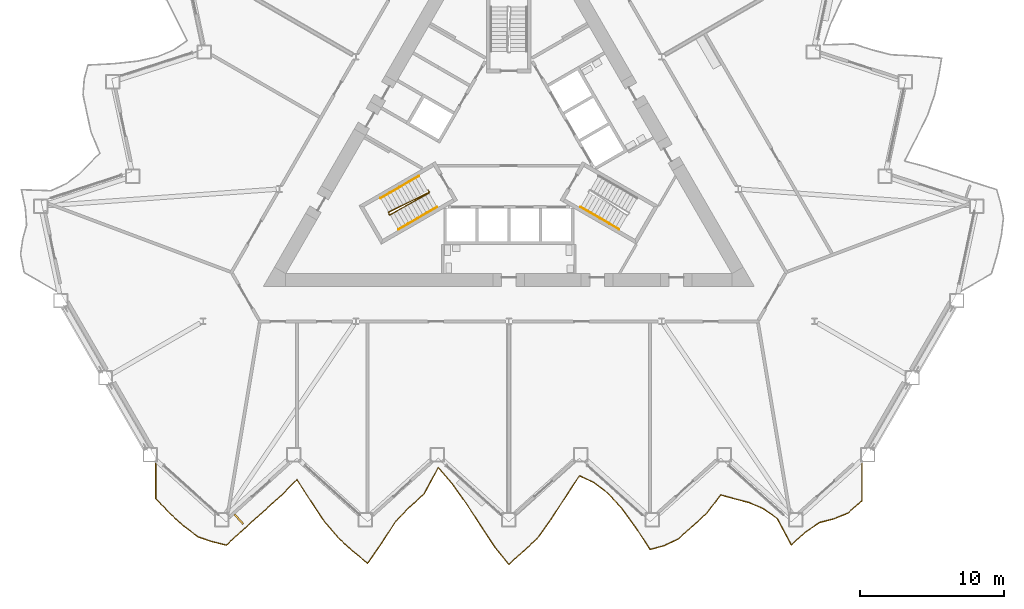
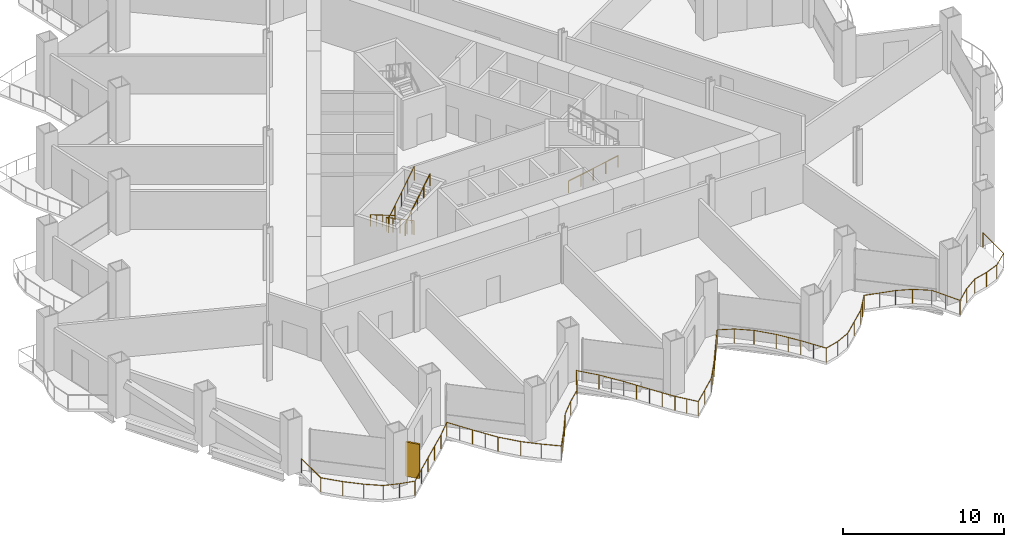
# One storey, part 16 of 20: 5 railings, 1 shading device.
"""IFC4 building model written with IfcOpenShell, lengths in metres."""

from ifc_helpers import new_model, si_unit, direction, frame, origin, origin_2d, place, context, subcontext, project, spatial, rectangle, circle, extrude, material, layer, layer_set, type_object, element, save


model = new_model("IFC4")

# Units and contexts
model_context = context("Model", 3, precision=1e-05, world=origin(), true_north=direction((0.0, 1.0)))
body_context = subcontext(model_context, "Body", "Model", "MODEL_VIEW")
ifc_project = project(units=[si_unit("LENGTHUNIT", "METRE"), si_unit("AREAUNIT", "SQUARE_METRE"), si_unit("VOLUMEUNIT", "CUBIC_METRE"), si_unit("PLANEANGLEUNIT", "RADIAN"), si_unit("MASSUNIT", "GRAM", prefix="KILO")], contexts=[model_context])

# Site, building, storey
site_placement = place(None, origin())
site = spatial("IfcSite", under=ifc_project, at=site_placement, CompositionType="ELEMENT")
building_placement = place(site_placement, origin())
building = spatial("IfcBuilding", under=site, at=building_placement, Name="Cormorant Prow Tower", CompositionType="ELEMENT")
storey_placement = place(building_placement, frame((0.0, 0.0, 55.199951171875)))
storey = spatial("IfcBuildingStorey", under=building, at=storey_placement, Name="L11", CompositionType="ELEMENT", Elevation=55.199951171875)

# Railings
ifc_material_1 = material(Name="Aluminium 6063-T6", Category="aluminium")
railing_type_1 = type_object("IfcRailingType", Name="Balcony guard 1100", PredefinedType="GUARDRAIL", material=ifc_material_1)
railing_1_placement = place(storey_placement, frame((-24.43896484375, -22.06591796875, 0.0)))
element("IfcRailing", 1, at=railing_1_placement, inside=storey, type_object=railing_type_1, Name="Balcony guard S", PredefinedType="GUARDRAIL", context=body_context, shape_type="SweptSolid", body=[
    extrude(circle(Radius=0.02392578125, at=origin_2d()), frame((0.0, 0.0, 1.076171875), z_axis=(0.0, -1.0, 0.0), x_axis=(1.0, 0.0, 0.0)), (0.0, 0.0, 1.0), 2.40380859375),
    extrude(circle(Radius=0.02392578125, at=origin_2d()), frame((0.0, -2.40380859375, 1.076171875), z_axis=(0.682749378861, -0.730652643645, 0.0), x_axis=(0.730652643645, 0.682749378861, 0.0)), (0.0, 0.0, 1.0), 1.43212890625),
    extrude(circle(Radius=0.02392578125, at=origin_2d()), frame((0.977783203125, -3.4501953125, 1.076171875), z_axis=(0.743164926257, -0.669108281507, 0.0), x_axis=(0.669108281507, 0.743164926257, 0.0)), (0.0, 0.0, 1.0), 1.3154296875),
    extrude(circle(Radius=0.02392578125, at=origin_2d()), frame((1.955322265625, -4.330322265625, 1.076171875), z_axis=(0.800191813283, -0.599744163752, 0.0), x_axis=(0.599744163752, 0.800191813283, 0.0)), (0.0, 0.0, 1.0), 1.2216796875),
    extrude(circle(Radius=0.02392578125, at=origin_2d()), frame((2.932861328125, -5.06298828125, 1.076171875), z_axis=(0.945931449226, -0.324366603344, 0.0), x_axis=(0.324366603344, 0.945931449226, 0.0)), (0.0, 0.0, 1.0), 1.033447265625),
    extrude(circle(Radius=0.02392578125, at=origin_2d()), frame((3.910400390625, -5.398193359375, 1.076171875), z_axis=(0.970710252446, -0.240253211832, 0.0), x_axis=(0.240253211832, 0.970710252446, 0.0)), (0.0, 0.0, 1.0), 1.007080078125),
    extrude(circle(Radius=0.02392578125, at=origin_2d()), frame((4.887939453125, -5.64013671875, 1.076171875), z_axis=(0.73590170634, 0.677088383156, 0.0), x_axis=(-0.677088383156, 0.73590170634, 0.0)), (0.0, 0.0, 1.0), 1.328369140625),
    extrude(circle(Radius=0.02392578125, at=origin_2d()), frame((5.865478515625, -4.74072265625, 1.076171875), z_axis=(0.743164926257, 0.669108281507, 0.0), x_axis=(-0.669108281507, 0.743164926257, 0.0)), (0.0, 0.0, 1.0), 1.3154296875),
    extrude(circle(Radius=0.02392578125, at=origin_2d()), frame((6.843017578125, -3.860595703125, 1.076171875), z_axis=(0.743164926257, 0.669108281507, 0.0), x_axis=(-0.669108281507, 0.743164926257, 0.0)), (0.0, 0.0, 1.0), 1.3154296875),
    extrude(circle(Radius=0.02392578125, at=origin_2d()), frame((7.820556640625, -2.98046875, 1.076171875), z_axis=(0.743072636804, 0.669210771307, 0.0), x_axis=(-0.669210771307, 0.743072636804, 0.0)), (0.0, 0.0, 1.0), 1.3154296875),
    extrude(circle(Radius=0.02392578125, at=origin_2d()), frame((8.798095703125, -2.10009765625, 1.076171875), z_axis=(0.703495793656, 0.710699421913, 0.0), x_axis=(-0.710699421913, 0.703495793656, 0.0)), (0.0, 0.0, 1.0), 1.3896484375),
    extrude(circle(Radius=0.02392578125, at=origin_2d()), frame((9.775634765625, -1.112548828125, 1.076171875), z_axis=(0.541707706486, -0.840566928171, 0.0), x_axis=(0.840566928171, 0.541707706486, 0.0)), (0.0, 0.0, 1.0), 1.804443359375),
    extrude(circle(Radius=0.02392578125, at=origin_2d()), frame((10.753173828125, -2.62939453125, 1.076171875), z_axis=(0.557073835636, -0.830462968259, 0.0), x_axis=(0.830462968259, 0.557073835636, 0.0)), (0.0, 0.0, 1.0), 1.7548828125),
    extrude(circle(Radius=0.02392578125, at=origin_2d()), frame((11.730712890625, -4.086669921875, 1.076171875), z_axis=(0.656227405116, -0.754563180108, 0.0), x_axis=(0.754563180108, 0.656227405116, 0.0)), (0.0, 0.0, 1.0), 1.48974609375),
    extrude(circle(Radius=0.02392578125, at=origin_2d()), frame((12.708251953125, -5.210693359375, 1.076171875), z_axis=(0.743164926257, -0.669108281507, 0.0), x_axis=(0.669108281507, 0.743164926257, 0.0)), (0.0, 0.0, 1.0), 1.3154296875),
    extrude(circle(Radius=0.02392578125, at=origin_2d()), frame((13.685791015625, -6.0908203125, 1.076171875), z_axis=(0.773087932909, -0.634298863306, 0.0), x_axis=(0.634298863306, 0.773087932909, 0.0)), (0.0, 0.0, 1.0), 1.264892578125),
    extrude(circle(Radius=0.02392578125, at=origin_2d()), frame((14.66357421875, -6.89306640625, 1.076171875), z_axis=(0.573702786451, 0.819063558473, 0.0), x_axis=(-0.819063558473, 0.573702786451, 0.0)), (0.0, 0.0, 1.0), 1.703369140625),
    extrude(circle(Radius=0.02392578125, at=origin_2d()), frame((15.640869140625, -5.497802734375, 1.076171875), z_axis=(0.542419899363, 0.840107524532, 0.0), x_axis=(-0.840107524532, 0.542419899363, 0.0)), (0.0, 0.0, 1.0), 1.802734375),
    extrude(circle(Radius=0.02392578125, at=origin_2d()), frame((16.61865234375, -3.9833984375, 1.076171875), z_axis=(0.697894538056, 0.716200540178, 0.0), x_axis=(-0.716200540178, 0.697894538056, 0.0)), (0.0, 0.0, 1.0), 1.400390625),
    extrude(circle(Radius=0.02392578125, at=origin_2d()), frame((17.595947265625, -2.98046875, 1.076171875), z_axis=(0.743155731483, 0.669118493814, 0.0), x_axis=(-0.669118493814, 0.743155731483, 0.0)), (0.0, 0.0, 1.0), 1.315673828125),
    extrude(circle(Radius=0.02392578125, at=origin_2d()), frame((18.57373046875, -2.10009765625, 1.076171875), z_axis=(0.473014567335, 0.88105460619, 0.0), x_axis=(-0.88105460619, 0.473014567335, 0.0)), (0.0, 0.0, 1.0), 2.066650390625),
    extrude(circle(Radius=0.02392578125, at=origin_2d()), frame((19.55126953125, -0.279296875, 1.076171875), z_axis=(0.658667639048, -0.75243401124, 0.0), x_axis=(0.75243401124, 0.658667639048, 0.0)), (0.0, 0.0, 1.0), 1.484130859375),
    extrude(circle(Radius=0.02392578125, at=origin_2d()), frame((20.52880859375, -1.39599609375, 1.076171875), z_axis=(0.578406056715, -0.815749001566, 0.0), x_axis=(0.815749001566, 0.578406056715, 0.0)), (0.0, 0.0, 1.0), 1.68994140625),
    extrude(circle(Radius=0.02392578125, at=origin_2d()), frame((21.50634765625, -2.774658203125, 1.076171875), z_axis=(0.543251278157, -0.839570157152, 0.0), x_axis=(0.839570157152, 0.543251278157, 0.0)), (0.0, 0.0, 1.0), 1.79931640625),
    extrude(circle(Radius=0.02392578125, at=origin_2d()), frame((22.48388671875, -4.285400390625, 1.076171875), z_axis=(0.551580869902, -0.834121420393, 0.0), x_axis=(0.834121420393, 0.551580869902, 0.0)), (0.0, 0.0, 1.0), 1.772216796875),
    extrude(circle(Radius=0.02392578125, at=origin_2d()), frame((23.46142578125, -5.763671875, 1.076171875), z_axis=(0.62928412672, -0.777175326331, 0.0), x_axis=(0.777175326331, 0.62928412672, 0.0)), (0.0, 0.0, 1.0), 1.553466796875),
    extrude(circle(Radius=0.02392578125, at=origin_2d()), frame((24.43896484375, -6.970947265625, 1.076171875), z_axis=(0.743164926257, 0.669108281507, 0.0), x_axis=(-0.669108281507, 0.743164926257, 0.0)), (0.0, 0.0, 1.0), 1.3154296875),
    extrude(circle(Radius=0.02392578125, at=origin_2d()), frame((25.41650390625, -6.0908203125, 1.076171875), z_axis=(0.737368143319, 0.675491096328, 0.0), x_axis=(-0.675491096328, 0.737368143319, 0.0)), (0.0, 0.0, 1.0), 1.32568359375),
    extrude(circle(Radius=0.02392578125, at=origin_2d()), frame((26.39404296875, -5.1953125, 1.076171875), z_axis=(0.583275794096, 0.812274182787, 0.0), x_axis=(-0.812274182787, 0.583275794096, 0.0)), (0.0, 0.0, 1.0), 1.676025390625),
    extrude(circle(Radius=0.02392578125, at=origin_2d()), frame((27.37158203125, -3.833984375, 1.076171875), z_axis=(0.544429050445, 0.838806896152, 0.0), x_axis=(-0.838806896152, 0.544429050445, 0.0)), (0.0, 0.0, 1.0), 1.79541015625),
    extrude(circle(Radius=0.02392578125, at=origin_2d()), frame((28.34912109375, -2.327880859375, 1.076171875), z_axis=(0.549306544143, 0.835620919174, 0.0), x_axis=(-0.835620919174, 0.549306544143, 0.0)), (0.0, 0.0, 1.0), 1.779541015625),
    extrude(circle(Radius=0.02392578125, at=origin_2d()), frame((29.32666015625, -0.8408203125, 1.076171875), z_axis=(0.908218126724, -0.418497113838, 0.0), x_axis=(0.418497113838, 0.908218126724, 0.0)), (0.0, 0.0, 1.0), 1.076416015625),
    extrude(circle(Radius=0.02392578125, at=origin_2d()), frame((30.30419921875, -1.291259765625, 1.076171875), z_axis=(0.797388260187, -0.60346662088, 0.0), x_axis=(0.60346662088, 0.797388260187, 0.0)), (0.0, 0.0, 1.0), 1.226318359375),
    extrude(circle(Radius=0.02392578125, at=origin_2d()), frame((31.281982421875, -2.03125, 1.076171875), z_axis=(0.675801073329, -0.737084058495, 0.0), x_axis=(0.737084058495, 0.675801073329, 0.0)), (0.0, 0.0, 1.0), 1.446044921875),
    extrude(circle(Radius=0.02392578125, at=origin_2d()), frame((32.25927734375, -3.09716796875, 1.076171875), z_axis=(0.588442486829, -0.808539077408, 0.0), x_axis=(0.808539077408, 0.588442486829, 0.0)), (0.0, 0.0, 1.0), 1.66162109375),
    extrude(circle(Radius=0.02392578125, at=origin_2d()), frame((33.237060546875, -4.440673828125, 1.076171875), z_axis=(0.545889180402, -0.837857388056, 0.0), x_axis=(0.837857388056, 0.545889180402, 0.0)), (0.0, 0.0, 1.0), 1.790283203125),
    extrude(circle(Radius=0.02392578125, at=origin_2d()), frame((34.21435546875, -5.940673828125, 1.076171875), z_axis=(0.965085625753, 0.261934600548, 0.0), x_axis=(-0.261934600548, 0.965085625753, 0.0)), (0.0, 0.0, 1.0), 1.01318359375),
    extrude(circle(Radius=0.02392578125, at=origin_2d()), frame((35.192138671875, -5.67529296875, 1.076171875), z_axis=(0.903181318322, 0.429259252939, 0.0), x_axis=(-0.429259252939, 0.903181318322, 0.0)), (0.0, 0.0, 1.0), 1.082275390625),
    extrude(circle(Radius=0.02392578125, at=origin_2d()), frame((36.169677734375, -5.210693359375, 1.076171875), z_axis=(0.743072636804, 0.669210771307, 0.0), x_axis=(-0.669210771307, 0.743072636804, 0.0)), (0.0, 0.0, 1.0), 1.3154296875),
    extrude(circle(Radius=0.02392578125, at=origin_2d()), frame((37.147216796875, -4.330322265625, 1.076171875), z_axis=(0.743164926257, 0.669108281507, 0.0), x_axis=(-0.669108281507, 0.743164926257, 0.0)), (0.0, 0.0, 1.0), 1.3154296875),
    extrude(circle(Radius=0.02392578125, at=origin_2d()), frame((38.124755859375, -3.4501953125, 1.076171875), z_axis=(0.605696771028, 0.795695558343, 0.0), x_axis=(-0.795695558343, 0.605696771028, 0.0)), (0.0, 0.0, 1.0), 1.614013671875),
    extrude(circle(Radius=0.02392578125, at=origin_2d()), frame((39.102294921875, -2.166015625, 1.076171875), z_axis=(0.964580128967, -0.263790020284, 0.0), x_axis=(0.263790020284, 0.964580128967, 0.0)), (0.0, 0.0, 1.0), 1.013427734375),
    extrude(circle(Radius=0.02392578125, at=origin_2d()), frame((40.079833984375, -2.433349609375, 1.076171875), z_axis=(0.966757908223, -0.255693462739, 0.0), x_axis=(0.255693462739, 0.966757908223, 0.0)), (0.0, 0.0, 1.0), 1.01123046875),
    extrude(circle(Radius=0.02392578125, at=origin_2d()), frame((41.057373046875, -2.69189453125, 1.076171875), z_axis=(0.921379612498, -0.3886638775, 0.0), x_axis=(0.3886638775, 0.921379612498, 0.0)), (0.0, 0.0, 1.0), 1.06103515625),
    extrude(circle(Radius=0.02392578125, at=origin_2d()), frame((42.034912109375, -3.104248046875, 1.076171875), z_axis=(0.817770816535, -0.575543996253, 0.0), x_axis=(0.575543996253, 0.817770816535, 0.0)), (0.0, 0.0, 1.0), 1.1953125),
    extrude(circle(Radius=0.02392578125, at=origin_2d()), frame((43.012451171875, -3.792236328125, 1.076171875), z_axis=(0.471394638109, -0.881922386133, 0.0), x_axis=(0.881922386133, 0.471394638109, 0.0)), (0.0, 0.0, 1.0), 2.07373046875),
    extrude(circle(Radius=0.02392578125, at=origin_2d()), frame((43.989990234375, -5.62109375, 1.076171875), z_axis=(0.743072636804, 0.669210771307, 0.0), x_axis=(-0.669210771307, 0.743072636804, 0.0)), (0.0, 0.0, 1.0), 1.3154296875),
    extrude(circle(Radius=0.02392578125, at=origin_2d()), frame((44.967529296875, -4.74072265625, 1.076171875), z_axis=(0.826515469101, 0.562914007053, 0.0), x_axis=(-0.562914007053, 0.826515469101, 0.0)), (0.0, 0.0, 1.0), 1.1826171875),
    extrude(circle(Radius=0.02392578125, at=origin_2d()), frame((45.945068359375, -4.074951171875, 1.076171875), z_axis=(0.968059952368, 0.250718823828, 0.0), x_axis=(-0.250718823828, 0.968059952368, 0.0)), (0.0, 0.0, 1.0), 1.009765625),
    extrude(circle(Radius=0.02392578125, at=origin_2d()), frame((46.922607421875, -3.82177734375, 1.076171875), z_axis=(0.927402596073, 0.374064733431, 0.0), x_axis=(-0.374064733431, 0.927402596073, 0.0)), (0.0, 0.0, 1.0), 1.053955078125),
    extrude(circle(Radius=0.02392578125, at=origin_2d()), frame((47.900146484375, -3.427490234375, 1.076171875), z_axis=(0.751866863447, 0.659314962404, 0.0), x_axis=(-0.659314962404, 0.751866863447, 0.0)), (0.0, 0.0, 1.0), 1.300537109375),
    extrude(circle(Radius=0.02392578125, at=origin_2d()), frame((48.8779296875, -2.570068359375, 1.076171875), z_axis=(0.0, 1.0, 0.0), x_axis=(-1.0, 0.0, 0.0)), (0.0, 0.0, 1.0), 2.570068359375),
    extrude(circle(Radius=0.02099609375, at=origin_2d()), origin(), (0.0, 0.0, 1.0), 1.052001953125),
    extrude(circle(Radius=0.02099609375, at=origin_2d()), frame((0.0, -1.201904296875, 0.0)), (0.0, 0.0, 1.0), 1.052001953125),
    extrude(circle(Radius=0.02099609375, at=origin_2d()), frame((0.0, -2.40380859375, 0.0)), (0.0, 0.0, 1.0), 1.052001953125),
    extrude(circle(Radius=0.02099609375, at=origin_2d()), frame((0.977783203125, -3.4501953125, 0.0)), (0.0, 0.0, 1.0), 1.052001953125),
    extrude(circle(Radius=0.02099609375, at=origin_2d()), frame((1.955322265625, -4.330322265625, 0.0)), (0.0, 0.0, 1.0), 1.052001953125),
    extrude(circle(Radius=0.02099609375, at=origin_2d()), frame((2.932861328125, -5.06298828125, 0.0)), (0.0, 0.0, 1.0), 1.052001953125),
    extrude(circle(Radius=0.02099609375, at=origin_2d()), frame((3.910400390625, -5.398193359375, 0.0)), (0.0, 0.0, 1.0), 1.052001953125),
    extrude(circle(Radius=0.02099609375, at=origin_2d()), frame((4.887939453125, -5.64013671875, 0.0)), (0.0, 0.0, 1.0), 1.052001953125),
    extrude(circle(Radius=0.02099609375, at=origin_2d()), frame((5.865478515625, -4.74072265625, 0.0)), (0.0, 0.0, 1.0), 1.052001953125),
    extrude(circle(Radius=0.02099609375, at=origin_2d()), frame((6.843017578125, -3.860595703125, 0.0)), (0.0, 0.0, 1.0), 1.052001953125),
    extrude(circle(Radius=0.02099609375, at=origin_2d()), frame((7.820556640625, -2.98046875, 0.0)), (0.0, 0.0, 1.0), 1.052001953125),
    extrude(circle(Radius=0.02099609375, at=origin_2d()), frame((8.798095703125, -2.10009765625, 0.0)), (0.0, 0.0, 1.0), 1.052001953125),
    extrude(circle(Radius=0.02099609375, at=origin_2d()), frame((9.775634765625, -1.112548828125, 0.0)), (0.0, 0.0, 1.0), 1.052001953125),
    extrude(circle(Radius=0.02099609375, at=origin_2d()), frame((10.264404296875, -1.87109375, 0.0)), (0.0, 0.0, 1.0), 1.052001953125),
    extrude(circle(Radius=0.02099609375, at=origin_2d()), frame((10.753173828125, -2.62939453125, 0.0)), (0.0, 0.0, 1.0), 1.052001953125),
    extrude(circle(Radius=0.02099609375, at=origin_2d()), frame((11.241943359375, -3.35791015625, 0.0)), (0.0, 0.0, 1.0), 1.052001953125),
    extrude(circle(Radius=0.02099609375, at=origin_2d()), frame((11.730712890625, -4.086669921875, 0.0)), (0.0, 0.0, 1.0), 1.052001953125),
    extrude(circle(Radius=0.02099609375, at=origin_2d()), frame((12.708251953125, -5.210693359375, 0.0)), (0.0, 0.0, 1.0), 1.052001953125),
    extrude(circle(Radius=0.02099609375, at=origin_2d()), frame((13.685791015625, -6.0908203125, 0.0)), (0.0, 0.0, 1.0), 1.052001953125),
    extrude(circle(Radius=0.02099609375, at=origin_2d()), frame((14.66357421875, -6.89306640625, 0.0)), (0.0, 0.0, 1.0), 1.052001953125),
    extrude(circle(Radius=0.02099609375, at=origin_2d()), frame((15.15234375, -6.1953125, 0.0)), (0.0, 0.0, 1.0), 1.052001953125),
    extrude(circle(Radius=0.02099609375, at=origin_2d()), frame((15.640869140625, -5.497802734375, 0.0)), (0.0, 0.0, 1.0), 1.052001953125),
    extrude(circle(Radius=0.02099609375, at=origin_2d()), frame((16.1298828125, -4.74072265625, 0.0)), (0.0, 0.0, 1.0), 1.052001953125),
    extrude(circle(Radius=0.02099609375, at=origin_2d()), frame((16.61865234375, -3.9833984375, 0.0)), (0.0, 0.0, 1.0), 1.052001953125),
    extrude(circle(Radius=0.02099609375, at=origin_2d()), frame((17.595947265625, -2.98046875, 0.0)), (0.0, 0.0, 1.0), 1.052001953125),
    extrude(circle(Radius=0.02099609375, at=origin_2d()), frame((18.57373046875, -2.10009765625, 0.0)), (0.0, 0.0, 1.0), 1.052001953125),
    extrude(circle(Radius=0.02099609375, at=origin_2d()), frame((19.0625, -1.189697265625, 0.0)), (0.0, 0.0, 1.0), 1.052001953125),
    extrude(circle(Radius=0.02099609375, at=origin_2d()), frame((19.55126953125, -0.279296875, 0.0)), (0.0, 0.0, 1.0), 1.052001953125),
    extrude(circle(Radius=0.02099609375, at=origin_2d()), frame((20.52880859375, -1.39599609375, 0.0)), (0.0, 0.0, 1.0), 1.052001953125),
    extrude(circle(Radius=0.02099609375, at=origin_2d()), frame((21.017578125, -2.08544921875, 0.0)), (0.0, 0.0, 1.0), 1.052001953125),
    extrude(circle(Radius=0.02099609375, at=origin_2d()), frame((21.50634765625, -2.774658203125, 0.0)), (0.0, 0.0, 1.0), 1.052001953125),
    extrude(circle(Radius=0.02099609375, at=origin_2d()), frame((21.9951171875, -3.530029296875, 0.0)), (0.0, 0.0, 1.0), 1.052001953125),
    extrude(circle(Radius=0.02099609375, at=origin_2d()), frame((22.48388671875, -4.285400390625, 0.0)), (0.0, 0.0, 1.0), 1.052001953125),
    extrude(circle(Radius=0.02099609375, at=origin_2d()), frame((22.97265625, -5.0244140625, 0.0)), (0.0, 0.0, 1.0), 1.052001953125),
    extrude(circle(Radius=0.02099609375, at=origin_2d()), frame((23.46142578125, -5.763671875, 0.0)), (0.0, 0.0, 1.0), 1.052001953125),
    extrude(circle(Radius=0.02099609375, at=origin_2d()), frame((23.9501953125, -6.3671875, 0.0)), (0.0, 0.0, 1.0), 1.052001953125),
    extrude(circle(Radius=0.02099609375, at=origin_2d()), frame((24.43896484375, -6.970947265625, 0.0)), (0.0, 0.0, 1.0), 1.052001953125),
    extrude(circle(Radius=0.02099609375, at=origin_2d()), frame((25.41650390625, -6.0908203125, 0.0)), (0.0, 0.0, 1.0), 1.052001953125),
    extrude(circle(Radius=0.02099609375, at=origin_2d()), frame((26.39404296875, -5.1953125, 0.0)), (0.0, 0.0, 1.0), 1.052001953125),
    extrude(circle(Radius=0.02099609375, at=origin_2d()), frame((26.8828125, -4.5146484375, 0.0)), (0.0, 0.0, 1.0), 1.052001953125),
    extrude(circle(Radius=0.02099609375, at=origin_2d()), frame((27.37158203125, -3.833984375, 0.0)), (0.0, 0.0, 1.0), 1.052001953125),
    extrude(circle(Radius=0.02099609375, at=origin_2d()), frame((27.8603515625, -3.0810546875, 0.0)), (0.0, 0.0, 1.0), 1.052001953125),
    extrude(circle(Radius=0.02099609375, at=origin_2d()), frame((28.34912109375, -2.327880859375, 0.0)), (0.0, 0.0, 1.0), 1.052001953125),
    extrude(circle(Radius=0.02099609375, at=origin_2d()), frame((28.837890625, -1.58447265625, 0.0)), (0.0, 0.0, 1.0), 1.052001953125),
    extrude(circle(Radius=0.02099609375, at=origin_2d()), frame((29.32666015625, -0.8408203125, 0.0)), (0.0, 0.0, 1.0), 1.052001953125),
    extrude(circle(Radius=0.02099609375, at=origin_2d()), frame((30.30419921875, -1.291259765625, 0.0)), (0.0, 0.0, 1.0), 1.052001953125),
    extrude(circle(Radius=0.02099609375, at=origin_2d()), frame((31.281982421875, -2.03125, 0.0)), (0.0, 0.0, 1.0), 1.052001953125),
    extrude(circle(Radius=0.02099609375, at=origin_2d()), frame((32.25927734375, -3.09716796875, 0.0)), (0.0, 0.0, 1.0), 1.052001953125),
    extrude(circle(Radius=0.02099609375, at=origin_2d()), frame((32.748046875, -3.76904296875, 0.0)), (0.0, 0.0, 1.0), 1.052001953125),
    extrude(circle(Radius=0.02099609375, at=origin_2d()), frame((33.237060546875, -4.440673828125, 0.0)), (0.0, 0.0, 1.0), 1.052001953125),
    extrude(circle(Radius=0.02099609375, at=origin_2d()), frame((33.7255859375, -5.190673828125, 0.0)), (0.0, 0.0, 1.0), 1.052001953125),
    extrude(circle(Radius=0.02099609375, at=origin_2d()), frame((34.21435546875, -5.940673828125, 0.0)), (0.0, 0.0, 1.0), 1.052001953125),
    extrude(circle(Radius=0.02099609375, at=origin_2d()), frame((35.192138671875, -5.67529296875, 0.0)), (0.0, 0.0, 1.0), 1.052001953125),
    extrude(circle(Radius=0.02099609375, at=origin_2d()), frame((36.169677734375, -5.210693359375, 0.0)), (0.0, 0.0, 1.0), 1.052001953125),
    extrude(circle(Radius=0.02099609375, at=origin_2d()), frame((37.147216796875, -4.330322265625, 0.0)), (0.0, 0.0, 1.0), 1.052001953125),
    extrude(circle(Radius=0.02099609375, at=origin_2d()), frame((38.124755859375, -3.4501953125, 0.0)), (0.0, 0.0, 1.0), 1.052001953125),
    extrude(circle(Radius=0.02099609375, at=origin_2d()), frame((38.613525390625, -2.80810546875, 0.0)), (0.0, 0.0, 1.0), 1.052001953125),
    extrude(circle(Radius=0.02099609375, at=origin_2d()), frame((39.102294921875, -2.166015625, 0.0)), (0.0, 0.0, 1.0), 1.052001953125),
    extrude(circle(Radius=0.02099609375, at=origin_2d()), frame((40.079833984375, -2.433349609375, 0.0)), (0.0, 0.0, 1.0), 1.052001953125),
    extrude(circle(Radius=0.02099609375, at=origin_2d()), frame((41.057373046875, -2.69189453125, 0.0)), (0.0, 0.0, 1.0), 1.052001953125),
    extrude(circle(Radius=0.02099609375, at=origin_2d()), frame((42.034912109375, -3.104248046875, 0.0)), (0.0, 0.0, 1.0), 1.052001953125),
    extrude(circle(Radius=0.02099609375, at=origin_2d()), frame((43.012451171875, -3.792236328125, 0.0)), (0.0, 0.0, 1.0), 1.052001953125),
    extrude(circle(Radius=0.02099609375, at=origin_2d()), frame((43.501220703125, -4.70654296875, 0.0)), (0.0, 0.0, 1.0), 1.052001953125),
    extrude(circle(Radius=0.02099609375, at=origin_2d()), frame((43.989990234375, -5.62109375, 0.0)), (0.0, 0.0, 1.0), 1.052001953125),
    extrude(circle(Radius=0.02099609375, at=origin_2d()), frame((44.967529296875, -4.74072265625, 0.0)), (0.0, 0.0, 1.0), 1.052001953125),
    extrude(circle(Radius=0.02099609375, at=origin_2d()), frame((45.945068359375, -4.074951171875, 0.0)), (0.0, 0.0, 1.0), 1.052001953125),
    extrude(circle(Radius=0.02099609375, at=origin_2d()), frame((46.922607421875, -3.82177734375, 0.0)), (0.0, 0.0, 1.0), 1.052001953125),
    extrude(circle(Radius=0.02099609375, at=origin_2d()), frame((47.900146484375, -3.427490234375, 0.0)), (0.0, 0.0, 1.0), 1.052001953125),
    extrude(circle(Radius=0.02099609375, at=origin_2d()), frame((48.8779296875, -2.570068359375, 0.0)), (0.0, 0.0, 1.0), 1.052001953125),
    extrude(circle(Radius=0.02099609375, at=origin_2d()), frame((48.8779296875, -1.28515625, 0.0)), (0.0, 0.0, 1.0), 1.052001953125),
    extrude(circle(Radius=0.02099609375, at=origin_2d()), frame((48.8779296875, 0.0, 0.0)), (0.0, 0.0, 1.0), 1.052001953125),
])
ifc_material_2 = material(Name="Stainless steel", Category="steel")
railing_type_2 = type_object("IfcRailingType", Name="Stair guard 1100", PredefinedType="GUARDRAIL", material=ifc_material_2)
railing_2_placement = place(storey_placement, frame((-5.585205078125, -3.137939453125, 0.0)))
element("IfcRailing", 2, at=railing_2_placement, inside=storey, type_object=railing_type_2, Name="L11 ST1 stair guard 1", PredefinedType="GUARDRAIL", context=body_context, shape_type="SweptSolid", body=[
    extrude(circle(Radius=0.02392578125, at=origin_2d()), frame((0.0, 0.0, 1.076171875), z_axis=(0.501036270542, -0.865426285481, 0.0), x_axis=(0.865426285481, 0.501036270542, 0.0)), (0.0, 0.0, 1.0), 0.150146484375),
    extrude(circle(Radius=0.02392578125, at=origin_2d()), frame((0.0751953125, -0.1298828125, 1.076171875), z_axis=(-0.744644002882, -0.368732342607, 0.556364780057), x_axis=(0.443754251299, -0.896148516963, 0.0)), (0.0, 0.0, 1.0), 3.774658203125),
    extrude(circle(Radius=0.02392578125, at=origin_2d()), frame((-2.735595703125, -1.521728515625, 3.17626953125), z_axis=(0.274721127897, -0.961523947641, 0.0), x_axis=(0.961523947641, 0.274721127897, 0.0)), (0.0, 0.0, 1.0), 0.2060546875),
    extrude(circle(Radius=0.02392578125, at=origin_2d()), frame((-2.678955078125, -1.719970703125, 3.17626953125), z_axis=(0.725764528363, 0.403684660475, 0.557049857973), x_axis=(-0.486086505765, 0.873910698477, 0.0)), (0.0, 0.0, 1.0), 3.76953125),
    extrude(circle(Radius=0.02099609375, at=origin_2d()), origin(), (0.0, 0.0, 1.0), 1.052001953125),
    extrude(circle(Radius=0.02099609375, at=origin_2d()), frame((0.0751953125, -0.1298828125, 0.0)), (0.0, 0.0, 1.0), 1.052001953125),
    extrude(circle(Radius=0.02099609375, at=origin_2d()), frame((-0.62744140625, -0.477783203125, 0.52490234375)), (0.0, 0.0, 1.0), 1.052001953125),
    extrude(circle(Radius=0.02099609375, at=origin_2d()), frame((-1.330078125, -0.82568359375, 1.050048828125)), (0.0, 0.0, 1.0), 1.052001953125),
    extrude(circle(Radius=0.02099609375, at=origin_2d()), frame((-2.032958984375, -1.173828125, 1.5751953125)), (0.0, 0.0, 1.0), 1.052001953125),
    extrude(circle(Radius=0.02099609375, at=origin_2d()), frame((-2.735595703125, -1.521728515625, 2.10009765625)), (0.0, 0.0, 1.0), 1.052001953125),
    extrude(circle(Radius=0.02099609375, at=origin_2d()), frame((-2.678955078125, -1.719970703125, 2.10009765625)), (0.0, 0.0, 1.0), 1.052001953125),
    extrude(circle(Radius=0.02099609375, at=origin_2d()), frame((-1.9951171875, -1.339599609375, 2.625)), (0.0, 0.0, 1.0), 1.052001953125),
    extrude(circle(Radius=0.02099609375, at=origin_2d()), frame((-1.31103515625, -0.958984375, 3.14990234375)), (0.0, 0.0, 1.0), 1.052001953125),
    extrude(circle(Radius=0.02099609375, at=origin_2d()), frame((-0.626953125, -0.57861328125, 3.675048828125)), (0.0, 0.0, 1.0), 1.052001953125),
    extrude(circle(Radius=0.02099609375, at=origin_2d()), frame((0.056884765625, -0.1982421875, 4.199951171875)), (0.0, 0.0, 1.0), 1.052001953125),
])
ifc_material_3 = material(Name="Stainless steel", Category="steel")
railing_type_3 = type_object("IfcRailingType", Name="Stair handrail 900", PredefinedType="HANDRAIL", material=ifc_material_3)
railing_3_placement = place(storey_placement, frame((-6.212890625, -2.150634765625, 0.175048828125)))
element("IfcRailing", 3, at=railing_3_placement, inside=storey, type_object=railing_type_3, Name="L11 ST1 stair handrail 1", PredefinedType="HANDRAIL", context=body_context, shape_type="SweptSolid", body=[
    extrude(circle(Radius=0.02392578125, at=origin_2d()), frame((0.0, 0.0, 0.8759765625), z_axis=(-0.734394994316, -0.423994474112, 0.52999309264), x_axis=(0.499992328818, -0.866029832698, 0.0)), (0.0, 0.0, 1.0), 3.63232421875),
    extrude(circle(Radius=0.02099609375, at=origin_2d()), origin(), (0.0, 0.0, 1.0), 0.851806640625),
    extrude(circle(Radius=0.02099609375, at=origin_2d()), frame((-0.6669921875, -0.385009765625, 0.481201171875)), (0.0, 0.0, 1.0), 0.851806640625),
    extrude(circle(Radius=0.02099609375, at=origin_2d()), frame((-1.333740234375, -0.77001953125, 0.96240234375)), (0.0, 0.0, 1.0), 0.851806640625),
    extrude(circle(Radius=0.02099609375, at=origin_2d()), frame((-2.00048828125, -1.155029296875, 1.44384765625)), (0.0, 0.0, 1.0), 0.851806640625),
    extrude(circle(Radius=0.02099609375, at=origin_2d()), frame((-2.66748046875, -1.5400390625, 1.925048828125)), (0.0, 0.0, 1.0), 0.851806640625),
])
railing_4_placement = place(storey_placement, frame((-7.63623046875, -5.84521484375, 2.275146484375)))
element("IfcRailing", 4, at=railing_4_placement, inside=storey, type_object=railing_type_3, Name="L11 ST1 stair handrail 2", PredefinedType="HANDRAIL", context=body_context, shape_type="SweptSolid", body=[
    extrude(circle(Radius=0.02392578125, at=origin_2d()), frame((0.0, 0.0, 0.8759765625), z_axis=(0.734390191396, 0.42403051051, 0.529970917068), x_axis=(-0.500026652407, 0.866010015463, 0.0)), (0.0, 0.0, 1.0), 3.6318359375),
    extrude(circle(Radius=0.02099609375, at=origin_2d()), origin(), (0.0, 0.0, 1.0), 0.851806640625),
    extrude(circle(Radius=0.02099609375, at=origin_2d()), frame((0.666748046875, 0.385009765625, 0.481201171875)), (0.0, 0.0, 1.0), 0.851806640625),
    extrude(circle(Radius=0.02099609375, at=origin_2d()), frame((1.33349609375, 0.77001953125, 0.96240234375)), (0.0, 0.0, 1.0), 0.851806640625),
    extrude(circle(Radius=0.02099609375, at=origin_2d()), frame((2.00048828125, 1.155029296875, 1.443603515625)), (0.0, 0.0, 1.0), 0.851806640625),
    extrude(circle(Radius=0.02099609375, at=origin_2d()), frame((2.667236328125, 1.5400390625, 1.9248046875)), (0.0, 0.0, 1.0), 0.851806640625),
])
railing_5_placement = place(storey_placement, frame((4.968994140625, -4.30517578125, 0.175048828125)))
element("IfcRailing", 5, at=railing_5_placement, inside=storey, type_object=railing_type_3, Name="L11 ST2 stair handrail 1", PredefinedType="HANDRAIL", context=body_context, shape_type="SweptSolid", body=[
    extrude(circle(Radius=0.02392578125, at=origin_2d()), frame((0.0, 0.0, 0.8759765625), z_axis=(0.734364028329, -0.424015404183, 0.530019255228), x_axis=(0.500026652407, 0.866010015463, 0.0)), (0.0, 0.0, 1.0), 3.632080078125),
    extrude(circle(Radius=0.02099609375, at=origin_2d()), origin(), (0.0, 0.0, 1.0), 0.851806640625),
    extrude(circle(Radius=0.02099609375, at=origin_2d()), frame((0.666748046875, -0.385009765625, 0.481201171875)), (0.0, 0.0, 1.0), 0.851806640625),
    extrude(circle(Radius=0.02099609375, at=origin_2d()), frame((1.33349609375, -0.77001953125, 0.96240234375)), (0.0, 0.0, 1.0), 0.851806640625),
    extrude(circle(Radius=0.02099609375, at=origin_2d()), frame((2.00048828125, -1.155029296875, 1.44384765625)), (0.0, 0.0, 1.0), 0.851806640625),
    extrude(circle(Radius=0.02099609375, at=origin_2d()), frame((2.667236328125, -1.5400390625, 1.925048828125)), (0.0, 0.0, 1.0), 0.851806640625),
])

# Shading device
ifc_material_4 = material(Name="Terracotta", Category="masonry")
ifc_layer = layer(ifc_material_4, 0.1201171875)
ifc_layer_set = layer_set([ifc_layer], Name="Terracotta")
shading_device_type = type_object("IfcShadingDeviceType", Name="Terracotta baguette fin 120x900x2600", PredefinedType="USERDEFINED", material=ifc_layer_set)
shading_device_placement = place(storey_placement, frame((-18.682861328125, -25.910888671875, 0.0), z_axis=(0.0, 0.0, 1.0), x_axis=(0.743144808544, 0.669130625166, 0.0)))
element("IfcShadingDevice", 6, at=shading_device_placement, inside=storey, type_object=shading_device_type, Name="Baguette fin S01", ObjectType="BAGUETTE", PredefinedType="USERDEFINED", context=body_context, shape_type="SweptSolid", body=[
    extrude(rectangle(XDim=0.1201171875, YDim=0.89990234375, at=origin_2d()), origin(), (0.0, 0.0, 1.0), 2.60009765625),
])

save(model, "model.ifc")
